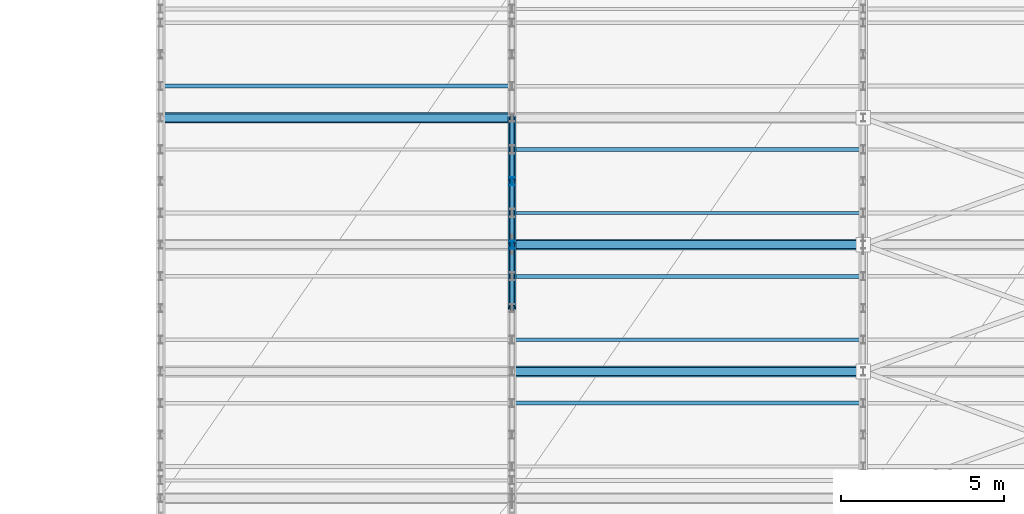
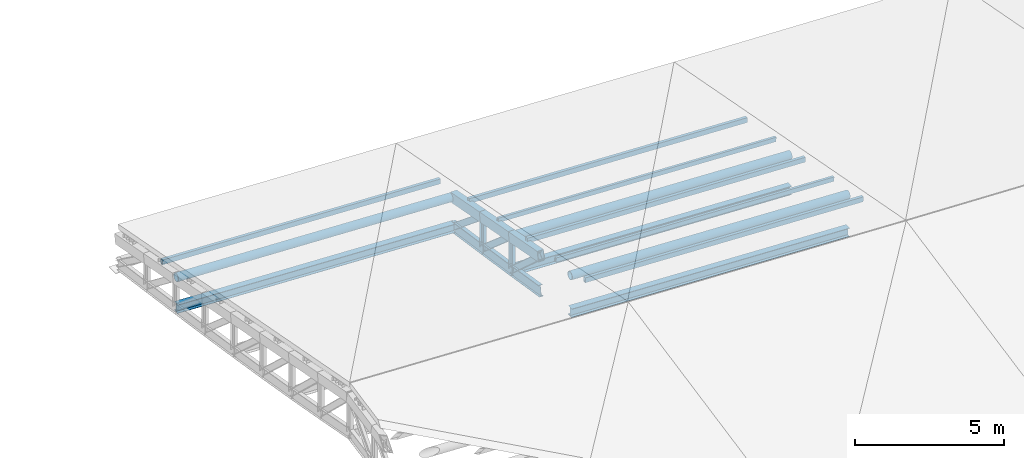
# One storey, part 17 of 89: 17 members, 6 beams.
"""IFC4 building model written with IfcOpenShell, lengths in metres."""

from ifc_helpers import new_model, si_unit, direction, frame, origin, origin_2d, place, context, subcontext, project, spatial, hollow_rectangle, hollow_circle, i_section, extrude, material, material_profile, profile_set, type_object, element, save


model = new_model("IFC4")

# Units and contexts
model_context = context("Model", 3, precision=1e-05, world=origin(), true_north=direction((0.0, 1.0)))
body_context = subcontext(model_context, "Body", "Model", "MODEL_VIEW")
ifc_project = project(units=[si_unit("LENGTHUNIT", "METRE"), si_unit("AREAUNIT", "SQUARE_METRE"), si_unit("VOLUMEUNIT", "CUBIC_METRE"), si_unit("PLANEANGLEUNIT", "RADIAN"), si_unit("MASSUNIT", "GRAM", prefix="KILO")], contexts=[model_context])

# Site, building, storey
site_placement = place(None, origin())
site = spatial("IfcSite", under=ifc_project, at=site_placement, CompositionType="ELEMENT")
building_placement = place(site_placement, origin())
building = spatial("IfcBuilding", under=site, at=building_placement, Name="Suirenkawa Promenade Aquatics Centre", CompositionType="ELEMENT")
storey_placement = place(building_placement, frame((0.0, 0.0, 9.60009765625)))
storey = spatial("IfcBuildingStorey", under=building, at=storey_placement, Name="L02", CompositionType="ELEMENT", Elevation=9.60009765625)

# Beams
ifc_material = material(Name="Steel IS 2062 E350 (Grade 350)", Category="steel")
ifc_material_profile_1 = material_profile(ifc_material, i_section(OverallWidth=0.14990234375, OverallDepth=0.449951171875, WebThickness=0.009033203125, FlangeThickness=0.01708984375, at=origin_2d()), Name="ISMB 450", Category="steel")
ifc_profile_set_1 = profile_set([ifc_material_profile_1], Name="Steel IS 2062 E350 (Grade 350)")
beam_type_1 = type_object("IfcBeamType", Name="BT-STL-ISMB450", PredefinedType="BEAM", material=ifc_profile_set_1)
beam_1_placement = place(storey_placement, frame((90.0, 19.050048828125, -0.55908203125), z_axis=(0.0, 0.98728433575, -0.158964273917), x_axis=(-1.0, 0.0, 0.0)))
element("IfcBeam", 1, at=beam_1_placement, inside=storey, type_object=beam_type_1, Name="ROOF TRUSS V3 bottom chord BM-08 BM-2630", PredefinedType="BEAM", context=body_context, shape_type="SweptSolid", body=[
    extrude(i_section(OverallWidth=0.14990234375, OverallDepth=0.449951171875, WebThickness=0.009033203125, FlangeThickness=0.01708984375, at=origin_2d()), origin(), (0.0, 0.0, 1.0), 1.97509765625),
])
beam_2_placement = place(storey_placement, frame((90.0, 21.0, -0.873046875), z_axis=(0.0, 0.988441697341, -0.151601487322), x_axis=(-1.0, 0.0, 0.0)))
element("IfcBeam", 2, at=beam_2_placement, inside=storey, type_object=beam_type_1, Name="ROOF TRUSS V3 bottom chord BM-08 BM-2632", PredefinedType="BEAM", context=body_context, shape_type="SweptSolid", body=[
    extrude(i_section(OverallWidth=0.14990234375, OverallDepth=0.449951171875, WebThickness=0.009033203125, FlangeThickness=0.01708984375, at=origin_2d()), origin(), (0.0, 0.0, 1.0), 1.97265625),
])
beam_3_placement = place(storey_placement, frame((90.0, 22.949951171875, -1.172119140625), z_axis=(0.0, 0.989422501766, -0.145062445169), x_axis=(-1.0, 0.0, 0.0)))
element("IfcBeam", 3, at=beam_3_placement, inside=storey, type_object=beam_type_1, Name="ROOF TRUSS V3 bottom chord BM-08 BM-2634", PredefinedType="BEAM", context=body_context, shape_type="SweptSolid", body=[
    extrude(i_section(OverallWidth=0.14990234375, OverallDepth=0.449951171875, WebThickness=0.009033203125, FlangeThickness=0.01708984375, at=origin_2d()), origin(), (0.0, 0.0, 1.0), 1.970703125),
])
ifc_material_profile_2 = material_profile(ifc_material, hollow_rectangle(XDim=0.25, YDim=0.39990234375, WallThickness=0.01611328125, at=origin_2d()), Name="RHS 400x250x16", Category="steel")
ifc_profile_set_2 = profile_set([ifc_material_profile_2], Name="Steel IS 2062 E350 (Grade 350)")
beam_type_2 = type_object("IfcBeamType", Name="BT-TC-RHS400", PredefinedType="BEAM", material=ifc_profile_set_2)
for number, where, z_axis, x_axis, name in (
    (4, (90.0, 19.050048828125, 0.8837890625), (0.0, 0.982571460273, -0.185885248087), (-1.0, 0.0, 0.0), "ROOF TRUSS V3 top chord TC-03 BM-2629"),
    (5, (90.0, 21.0, 0.514892578125), (0.0, 0.982571460273, -0.185885248087), (-1.0, 0.0, 0.0), "ROOF TRUSS V3 top chord TC-03 BM-2631"),
):
    element("IfcBeam", number, at=place(storey_placement, frame(where, z_axis=z_axis, x_axis=x_axis)), inside=storey, type_object=beam_type_2, Name=name, PredefinedType="BEAM", context=body_context, shape_type="SweptSolid", body=[
        extrude(hollow_rectangle(XDim=0.25, YDim=0.39990234375, WallThickness=0.01611328125, at=origin_2d()), origin(), (0.0, 0.0, 1.0), 1.984619140625),
    ])
beam_4_placement = place(storey_placement, frame((90.0, 22.949951171875, 0.14599609375), z_axis=(0.0, 0.982638808178, -0.185528899804), x_axis=(-1.0, 0.0, 0.0)))
element("IfcBeam", 6, at=beam_4_placement, inside=storey, type_object=beam_type_2, Name="ROOF TRUSS V3 top chord TC-03 BM-2633", PredefinedType="BEAM", context=body_context, shape_type="SweptSolid", body=[
    extrude(hollow_rectangle(XDim=0.25, YDim=0.39990234375, WallThickness=0.01611328125, at=origin_2d()), origin(), (0.0, 0.0, 1.0), 1.984375),
])

# Members
ifc_material_profile_3 = material_profile(ifc_material, hollow_circle(Radius=0.162109375, WallThickness=0.013916015625, at=origin_2d()), Name="CHS 324x14", Category="steel")
ifc_profile_set_3 = profile_set([ifc_material_profile_3], Name="Steel IS 2062 E350 (Grade 350)")
member_type_1 = type_object("IfcMemberType", Name="MT-CHORD-CHS324", PredefinedType="CHORD", material=ifc_profile_set_3)
member_1_placement = place(storey_placement, frame((90.0, 17.10009765625, 1.2529296875), z_axis=(0.999129507371, 0.0, -0.041716034092), x_axis=(0.0, 1.0, 0.0)))
element("IfcMember", 7, at=member_1_placement, inside=storey, type_object=member_type_1, Name="ROOF TRUSS V3 tie chord CH-01 MB-1593", PredefinedType="CHORD", context=body_context, shape_type="SweptSolid", body=[
    extrude(hollow_circle(Radius=0.162109375, WallThickness=0.013916015625, at=origin_2d()), origin(), (0.0, 0.0, 1.0), 10.8095703125),
])
for number, where, z_axis, x_axis, name in (
    (8, (90.0, 21.0, 0.514892578125), (0.9991332688, 0.0, -0.041625847467), (0.0, 1.0, 0.0), "ROOF TRUSS V3 tie chord CH-01 MB-1607"),
    (9, (79.199951171875, 24.89990234375, 0.227783203125), (0.9991332688, 0.0, -0.041625847467), (0.0, 1.0, 0.0), "ROOF TRUSS V3 tie chord CH-01 MB-1619"),
):
    element("IfcMember", number, at=place(storey_placement, frame(where, z_axis=z_axis, x_axis=x_axis)), inside=storey, type_object=member_type_1, Name=name, PredefinedType="CHORD", context=body_context, shape_type="SweptSolid", body=[
        extrude(hollow_circle(Radius=0.162109375, WallThickness=0.013916015625, at=origin_2d()), origin(), (0.0, 0.0, 1.0), 10.809326171875),
    ])
ifc_material_profile_4 = material_profile(ifc_material, i_section(OverallWidth=0.25, OverallDepth=0.35009765625, WebThickness=0.010009765625, FlangeThickness=0.011962890625, at=origin_2d()), Name="ISHB 350", Category="steel")
ifc_profile_set_4 = profile_set([ifc_material_profile_4], Name="Steel IS 2062 E350 (Grade 350)")
member_type_2 = type_object("IfcMemberType", Name="MT-CHORD-ISHB350", PredefinedType="CHORD", material=ifc_profile_set_4)
member_2_placement = place(storey_placement, frame((90.0, 17.10009765625, -0.22802734375), z_axis=(0.999128565746, 0.0, -0.041738580589), x_axis=(0.0, 1.0, 0.0)))
element("IfcMember", 10, at=member_2_placement, inside=storey, type_object=member_type_2, Name="ROOF TRUSS V3 bottom tie CH-04 MB-1594", PredefinedType="CHORD", context=body_context, shape_type="SweptSolid", body=[
    extrude(i_section(OverallWidth=0.25, OverallDepth=0.35009765625, WebThickness=0.010009765625, FlangeThickness=0.011962890625, at=origin_2d()), origin(), (0.0, 0.0, 1.0), 10.8095703125),
])
for number, where, z_axis, x_axis, name in (
    (11, (90.0, 21.0, -0.873046875), (0.9991332688, 0.0, -0.041625847467), (0.0, 1.0, 0.0), "ROOF TRUSS V3 bottom tie CH-04 MB-1608"),
    (12, (79.199951171875, 24.89990234375, -1.008056640625), (0.9991332688, 0.0, -0.041625847467), (0.0, 1.0, 0.0), "ROOF TRUSS V3 bottom tie CH-04 MB-1620"),
):
    element("IfcMember", number, at=place(storey_placement, frame(where, z_axis=z_axis, x_axis=x_axis)), inside=storey, type_object=member_type_2, Name=name, PredefinedType="CHORD", context=body_context, shape_type="SweptSolid", body=[
        extrude(i_section(OverallWidth=0.25, OverallDepth=0.35009765625, WebThickness=0.010009765625, FlangeThickness=0.011962890625, at=origin_2d()), origin(), (0.0, 0.0, 1.0), 10.809326171875),
    ])
ifc_material_profile_5 = material_profile(ifc_material, hollow_rectangle(XDim=0.10009765625, YDim=0.179931640625, WallThickness=0.008056640625, at=origin_2d()), Name="RHS 180x100x8", Category="steel")
ifc_profile_set_5 = profile_set([ifc_material_profile_5], Name="Steel IS 2062 E350 (Grade 350)")
member_type_3 = type_object("IfcMemberType", Name="MT-PURLIN-RHS180", PredefinedType="PURLIN", material=ifc_profile_set_5)
for number, where, z_axis, x_axis, name in (
    (13, (90.0, 18.074951171875, 1.32080078125), (0.9991332688, 0.0, -0.041625847467), (0.0, 1.0, 0.0), "ROOF TRUSS Roof purlin PU-01 MB-2691"),
    (14, (90.0, 21.97509765625, 0.583984375), (0.999132329203, 0.0, -0.041648394219), (0.0, 1.0, 0.0), "ROOF TRUSS Roof purlin PU-01 MB-2695"),
):
    element("IfcMember", number, at=place(storey_placement, frame(where, z_axis=z_axis, x_axis=x_axis)), inside=storey, type_object=member_type_3, Name=name, PredefinedType="PURLIN", context=body_context, shape_type="SweptSolid", body=[
        extrude(hollow_rectangle(XDim=0.10009765625, YDim=0.179931640625, WallThickness=0.008056640625, at=origin_2d()), origin(), (0.0, 0.0, 1.0), 10.809326171875),
    ])
ifc_material_profile_6 = material_profile(ifc_material, hollow_rectangle(XDim=0.1201171875, YDim=0.199951171875, WallThickness=0.008056640625, at=origin_2d()), Name="RHS 200x120x8", Category="steel")
ifc_profile_set_6 = profile_set([ifc_material_profile_6], Name="Steel IS 2062 E350 (Grade 350)")
member_type_4 = type_object("IfcMemberType", Name="MT-PURLIN-RHS200", PredefinedType="PURLIN", material=ifc_profile_set_6)
for number, where, z_axis, x_axis, name in (
    (15, (79.199951171875, 25.875, 0.283935546875), (0.9991332688, 0.0, -0.041625847467), (0.0, 1.0, 0.0), "ROOF TRUSS Roof purlin PU-02 MB-2656"),
    (16, (90.0, 16.125, 1.677978515625), (0.999132329203, 0.0, -0.041648394219), (0.0, 1.0, 0.0), "ROOF TRUSS Roof purlin PU-02 MB-2689"),
    (17, (90.0, 20.02490234375, 0.93994140625), (0.999137022116, 0.0, -0.041535659825), (0.0, 1.0, 0.0), "ROOF TRUSS Roof purlin PU-02 MB-2693"),
    (18, (90.0, 23.925048828125, 0.202880859375), (0.9991332688, 0.0, -0.041625847467), (0.0, 1.0, 0.0), "ROOF TRUSS Roof purlin PU-02 MB-2697"),
):
    element("IfcMember", number, at=place(storey_placement, frame(where, z_axis=z_axis, x_axis=x_axis)), inside=storey, type_object=member_type_4, Name=name, PredefinedType="PURLIN", context=body_context, shape_type="SweptSolid", body=[
        extrude(hollow_rectangle(XDim=0.1201171875, YDim=0.199951171875, WallThickness=0.008056640625, at=origin_2d()), origin(), (0.0, 0.0, 1.0), 10.809326171875),
    ])
ifc_material_profile_7 = material_profile(ifc_material, i_section(OverallWidth=0.125, OverallDepth=0.25, WebThickness=0.007080078125, FlangeThickness=0.012939453125, at=origin_2d()), Name="ISMB 250", Category="steel")
ifc_profile_set_7 = profile_set([ifc_material_profile_7], Name="Steel IS 2062 E350 (Grade 350)")
member_type_5 = type_object("IfcMemberType", Name="MT-WEB-CHS168", PredefinedType="BRACE", material=ifc_profile_set_7)
member_3_placement = place(storey_placement, frame((90.0, 19.050048828125, 0.8837890625), z_axis=(0.0, 0.74293789867, -0.669360350424), x_axis=(-1.0, 0.0, 0.0)))
element("IfcMember", 19, at=member_3_placement, inside=storey, type_object=member_type_5, Name="ROOF TRUSS V3 web diagonal TD-03 MB-1318", PredefinedType="BRACE", context=body_context, shape_type="SweptSolid", body=[
    extrude(i_section(OverallWidth=0.125, OverallDepth=0.25, WebThickness=0.007080078125, FlangeThickness=0.012939453125, at=origin_2d()), origin(), (0.0, 0.0, 1.0), 2.624755859375),
])
member_4_placement = place(storey_placement, frame((90.0, 21.0, 0.514892578125), z_axis=(0.0, 0.756254271499, -0.654277828479), x_axis=(-1.0, 0.0, 0.0)))
element("IfcMember", 20, at=member_4_placement, inside=storey, type_object=member_type_5, Name="ROOF TRUSS V3 web diagonal TD-03 MB-1319", PredefinedType="BRACE", context=body_context, shape_type="SweptSolid", body=[
    extrude(i_section(OverallWidth=0.125, OverallDepth=0.25, WebThickness=0.007080078125, FlangeThickness=0.012939453125, at=origin_2d()), origin(), (0.0, 0.0, 1.0), 2.578369140625),
])
member_5_placement = place(storey_placement, frame((90.0, 22.949951171875, 0.14599609375), z_axis=(0.0, 0.772287379576, -0.635273329637), x_axis=(-1.0, 0.0, 0.0)))
element("IfcMember", 21, at=member_5_placement, inside=storey, type_object=member_type_5, Name="ROOF TRUSS V3 web diagonal TD-03 MB-1320", PredefinedType="BRACE", context=body_context, shape_type="SweptSolid", body=[
    extrude(i_section(OverallWidth=0.125, OverallDepth=0.25, WebThickness=0.007080078125, FlangeThickness=0.012939453125, at=origin_2d()), origin(), (0.0, 0.0, 1.0), 2.52490234375),
])
member_6_placement = place(storey_placement, frame((90.0, 21.0, -0.873046875), z_axis=(0.0, 0.0, 1.0), x_axis=(1.0, 0.0, 0.0)))
element("IfcMember", 22, at=member_6_placement, inside=storey, type_object=member_type_5, Name="ROOF TRUSS V3 web post TD-03 MB-1334", PredefinedType="BRACE", context=body_context, shape_type="SweptSolid", body=[
    extrude(i_section(OverallWidth=0.125, OverallDepth=0.25, WebThickness=0.007080078125, FlangeThickness=0.012939453125, at=origin_2d()), origin(), (0.0, 0.0, 1.0), 1.387939453125),
])
member_7_placement = place(storey_placement, frame((90.0, 22.949951171875, -1.172119140625), z_axis=(0.0, 0.0, 1.0), x_axis=(1.0, 0.0, 0.0)))
element("IfcMember", 23, at=member_7_placement, inside=storey, type_object=member_type_5, Name="ROOF TRUSS V3 web post TD-03 MB-1335", PredefinedType="BRACE", context=body_context, shape_type="SweptSolid", body=[
    extrude(i_section(OverallWidth=0.125, OverallDepth=0.25, WebThickness=0.007080078125, FlangeThickness=0.012939453125, at=origin_2d()), origin(), (0.0, 0.0, 1.0), 1.318115234375),
])

save(model, "model.ifc")
